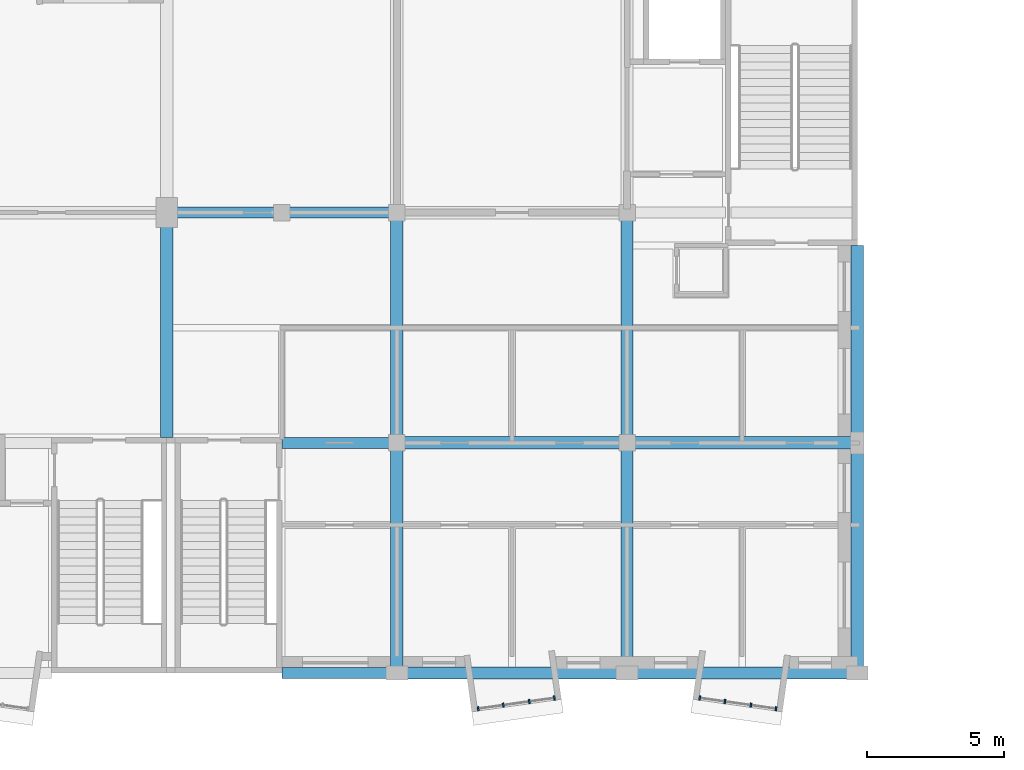
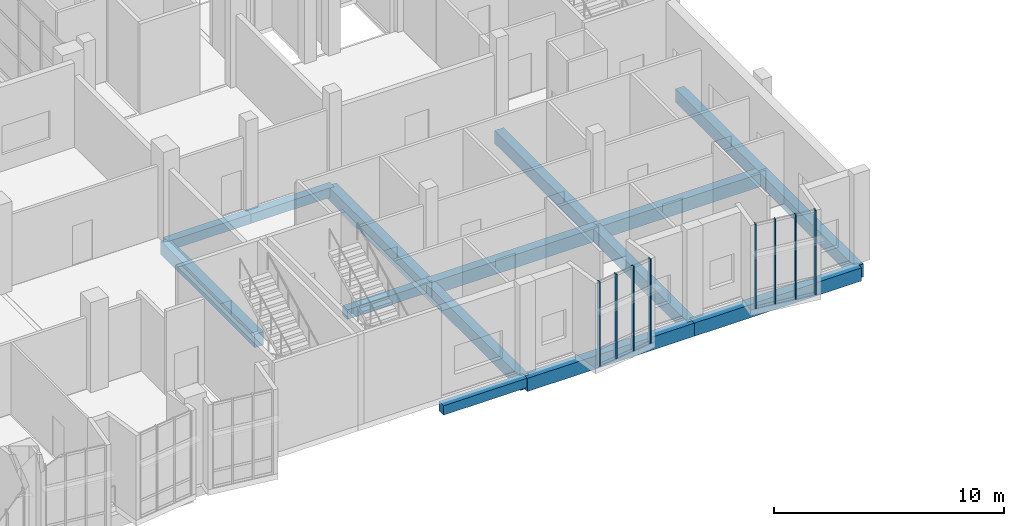
# One storey, part 5 of 91: 15 beams, 8 members, 2 elements without a shape of their own.
"""IFC4 building model written with IfcOpenShell, lengths in metres."""

from ifc_helpers import new_model, si_unit, direction, frame, origin, origin_2d, place, context, subcontext, project, spatial, rectangle, extrude, material, layer, layer_set, material_profile, profile_set, type_object, element, aggregate, save


model = new_model("IFC4")

# Units and contexts
model_context = context("Model", 3, precision=1e-05, world=origin(), true_north=direction((0.0, 1.0)))
body_context = subcontext(model_context, "Body", "Model", "MODEL_VIEW")
ifc_project = project(units=[si_unit("LENGTHUNIT", "METRE"), si_unit("AREAUNIT", "SQUARE_METRE"), si_unit("VOLUMEUNIT", "CUBIC_METRE"), si_unit("PLANEANGLEUNIT", "RADIAN"), si_unit("MASSUNIT", "GRAM", prefix="KILO")], contexts=[model_context])

# Site, building, storey
site_placement = place(None, origin())
site = spatial("IfcSite", under=ifc_project, at=site_placement, CompositionType="ELEMENT")
building_placement = place(site_placement, origin())
building = spatial("IfcBuilding", under=site, at=building_placement, Name="Kiln Court Media Centre", CompositionType="ELEMENT")
storey_placement = place(building_placement, frame((0.0, 0.0, 5.39990234375)))
storey = spatial("IfcBuildingStorey", under=building, at=storey_placement, Name="L01", CompositionType="ELEMENT", Elevation=5.39990234375)

# Curtain wall, members
ifc_material_1 = material(Name="Aluminium 6063-T6", Category="aluminium")
ifc_layer = layer(ifc_material_1, 0.1201171875)
ifc_layer_set = layer_set([ifc_layer], Name="Aluminium unitised bay curtain wall")
curtain_wall_type = type_object("IfcCurtainWallType", Name="Aluminium unitised bay curtain wall", PredefinedType="USERDEFINED", material=ifc_layer_set)
curtain_wall_1_placement = place(storey_placement, origin())
curtain_wall_1 = element("IfcCurtainWall", 1, at=curtain_wall_1_placement, inside=storey, type_object=curtain_wall_type, Name="BAY V6B-S-L01-02 front", ObjectType="UNITISED CURTAIN WALL", PredefinedType="USERDEFINED")
ifc_material_2 = material(Name="Aluminium 6063-T6", Category="aluminium")
ifc_material_profile_1 = material_profile(ifc_material_2, rectangle(XDim=0.06005859375, YDim=0.159912109375, at=origin_2d()), Name="Aluminium mullion 60x160")
ifc_profile_set_1 = profile_set([ifc_material_profile_1], Name="Aluminium 6063-T6")
member_type = type_object("IfcMemberType", Name="Aluminium mullion 60x160", PredefinedType="MULLION", material=ifc_profile_set_1)
member_1_placement = place(storey_placement, frame((44.964599609375, -1.3046875, 0.0), z_axis=(0.0, 0.0, 1.0), x_axis=(0.990269562409, 0.139162472554, 0.0)))
member_1 = element("IfcMember", 2, at=member_1_placement, type_object=member_type, Name="CW1-16 mullion 1", PredefinedType="MULLION", context=body_context, shape_type="SweptSolid", body=[
    extrude(rectangle(XDim=0.06005859375, YDim=0.159912109375, at=origin_2d()), origin(), (0.0, 0.0, 1.0), 4.5),
])
member_2_placement = place(storey_placement, frame((45.882080078125, -1.17578125, 0.0), z_axis=(0.0, 0.0, 1.0), x_axis=(0.990269562409, 0.139162472554, 0.0)))
member_2 = element("IfcMember", 3, at=member_2_placement, type_object=member_type, Name="CW1-16 mullion 2", PredefinedType="MULLION", context=body_context, shape_type="SweptSolid", body=[
    extrude(rectangle(XDim=0.06005859375, YDim=0.159912109375, at=origin_2d()), origin(), (0.0, 0.0, 1.0), 4.5),
])
member_3_placement = place(storey_placement, frame((46.82958984375, -1.04248046875, 0.0), z_axis=(0.0, 0.0, 1.0), x_axis=(0.990269562409, 0.139162472554, 0.0)))
member_3 = element("IfcMember", 4, at=member_3_placement, type_object=member_type, Name="CW1-16 mullion 3", PredefinedType="MULLION", context=body_context, shape_type="SweptSolid", body=[
    extrude(rectangle(XDim=0.06005859375, YDim=0.159912109375, at=origin_2d()), origin(), (0.0, 0.0, 1.0), 4.5),
])
member_4_placement = place(storey_placement, frame((47.7470703125, -0.91357421875, 0.0), z_axis=(0.0, 0.0, 1.0), x_axis=(0.990269562409, 0.139162472554, 0.0)))
member_4 = element("IfcMember", 5, at=member_4_placement, type_object=member_type, Name="CW1-16 mullion 4", PredefinedType="MULLION", context=body_context, shape_type="SweptSolid", body=[
    extrude(rectangle(XDim=0.06005859375, YDim=0.159912109375, at=origin_2d()), origin(), (0.0, 0.0, 1.0), 4.5),
])
aggregate(curtain_wall_1, [member_1, member_2, member_3, member_4])

curtain_wall_2_placement = place(storey_placement, origin())
curtain_wall_2 = element("IfcCurtainWall", 6, at=curtain_wall_2_placement, inside=storey, type_object=curtain_wall_type, Name="BAY V6B-S-L01-03 front", ObjectType="UNITISED CURTAIN WALL", PredefinedType="USERDEFINED")
member_5_placement = place(storey_placement, frame((53.052734375, -0.91357421875, 0.0), z_axis=(0.0, 0.0, 1.0), x_axis=(0.990269562409, -0.139162472554, 0.0)))
member_5 = element("IfcMember", 7, at=member_5_placement, type_object=member_type, Name="CW1-17 mullion 1", PredefinedType="MULLION", context=body_context, shape_type="SweptSolid", body=[
    extrude(rectangle(XDim=0.06005859375, YDim=0.159912109375, at=origin_2d()), origin(), (0.0, 0.0, 1.0), 4.5),
])
member_6_placement = place(storey_placement, frame((53.970458984375, -1.04248046875, 0.0), z_axis=(0.0, 0.0, 1.0), x_axis=(0.990269562409, -0.139162472554, 0.0)))
member_6 = element("IfcMember", 8, at=member_6_placement, type_object=member_type, Name="CW1-17 mullion 2", PredefinedType="MULLION", context=body_context, shape_type="SweptSolid", body=[
    extrude(rectangle(XDim=0.06005859375, YDim=0.159912109375, at=origin_2d()), origin(), (0.0, 0.0, 1.0), 4.5),
])
member_7_placement = place(storey_placement, frame((54.917724609375, -1.17578125, 0.0), z_axis=(0.0, 0.0, 1.0), x_axis=(0.990269562409, -0.139162472554, 0.0)))
member_7 = element("IfcMember", 9, at=member_7_placement, type_object=member_type, Name="CW1-17 mullion 3", PredefinedType="MULLION", context=body_context, shape_type="SweptSolid", body=[
    extrude(rectangle(XDim=0.06005859375, YDim=0.159912109375, at=origin_2d()), origin(), (0.0, 0.0, 1.0), 4.5),
])
member_8_placement = place(storey_placement, frame((55.83544921875, -1.3046875, 0.0), z_axis=(0.0, 0.0, 1.0), x_axis=(0.990269562409, -0.139162472554, 0.0)))
member_8 = element("IfcMember", 10, at=member_8_placement, type_object=member_type, Name="CW1-17 mullion 4", PredefinedType="MULLION", context=body_context, shape_type="SweptSolid", body=[
    extrude(rectangle(XDim=0.06005859375, YDim=0.159912109375, at=origin_2d()), origin(), (0.0, 0.0, 1.0), 4.5),
])
aggregate(curtain_wall_2, [member_5, member_6, member_7, member_8])

# Beams
ifc_material_3 = material(Name="Concrete C30/37", Category="concrete")
ifc_material_profile_2 = material_profile(ifc_material_3, rectangle(XDim=0.39990234375, YDim=0.5, at=origin_2d()), Name="RC 400x500")
ifc_profile_set_2 = profile_set([ifc_material_profile_2], Name="Concrete C30/37")
beam_type_1 = type_object("IfcBeamType", Name="Concrete C30/37 beam 400x500", PredefinedType="BEAM", material=ifc_profile_set_2)
for number, where, z_axis, x_axis, name in (
    (11, (37.800048828125, 0.0, -0.5498046875), (1.0, 0.0, 0.0), (0.0, 1.0, 0.0), "L01-B-1036"),
    (12, (37.800048828125, 8.39990234375, -0.5498046875), (1.0, 0.0, 0.0), (0.0, 1.0, 0.0), "L01-B-1039"),
):
    element("IfcBeam", number, at=place(storey_placement, frame(where, z_axis=z_axis, x_axis=x_axis)), inside=storey, type_object=beam_type_1, Name=name, PredefinedType="BEAM", context=body_context, shape_type="SweptSolid", body=[
        extrude(rectangle(XDim=0.39990234375, YDim=0.5, at=origin_2d()), origin(), (0.0, 0.0, 1.0), 4.199951171875),
    ])
beam_1_placement = place(storey_placement, frame((33.64990234375, 16.800048828125, -0.5498046875), z_axis=(1.0, 0.0, 0.0), x_axis=(0.0, 1.0, 0.0)))
element("IfcBeam", 13, at=beam_1_placement, inside=storey, type_object=beam_type_1, Name="L01-B-1042", PredefinedType="BEAM", context=body_context, shape_type="SweptSolid", body=[
    extrude(rectangle(XDim=0.39990234375, YDim=0.5, at=origin_2d()), origin(), (0.0, 0.0, 1.0), 4.151123046875),
])
beam_2_placement = place(storey_placement, frame((37.801025390625, 16.800048828125, -0.5498046875), z_axis=(1.0, 0.0, 0.0), x_axis=(0.0, 1.0, 0.0)))
element("IfcBeam", 14, at=beam_2_placement, inside=storey, type_object=beam_type_1, Name="L01-B-1043", PredefinedType="BEAM", context=body_context, shape_type="SweptSolid", body=[
    extrude(rectangle(XDim=0.39990234375, YDim=0.5, at=origin_2d()), origin(), (0.0, 0.0, 1.0), 4.198974609375),
])
ifc_material_4 = material(Name="Concrete C30/37", Category="concrete")
ifc_material_profile_3 = material_profile(ifc_material_4, rectangle(XDim=0.449951171875, YDim=0.699951171875, at=origin_2d()), Name="RC 450x700")
ifc_profile_set_3 = profile_set([ifc_material_profile_3], Name="Concrete C30/37")
beam_type_2 = type_object("IfcBeamType", Name="Concrete C30/37 beam 450x700", PredefinedType="BEAM", material=ifc_profile_set_3)
beam_3_placement = place(storey_placement, frame((33.60009765625, 8.60009765625, -0.64990234375), z_axis=(0.0, 1.0, 0.0), x_axis=(-1.0, 0.0, 0.0)))
element("IfcBeam", 15, at=beam_3_placement, inside=storey, type_object=beam_type_2, Name="L01-B-1009", PredefinedType="BEAM", context=body_context, shape_type="SweptSolid", body=[
    extrude(rectangle(XDim=0.449951171875, YDim=0.699951171875, at=origin_2d()), origin(), (0.0, 0.0, 1.0), 8.199951171875),
])
beam_4_placement = place(storey_placement, frame((42.0, 0.0, -0.64990234375), z_axis=(0.0, 1.0, 0.0), x_axis=(-1.0, 0.0, 0.0)))
element("IfcBeam", 16, at=beam_4_placement, inside=storey, type_object=beam_type_2, Name="L01-B-1028", PredefinedType="BEAM", context=body_context, shape_type="SweptSolid", body=[
    extrude(rectangle(XDim=0.449951171875, YDim=0.699951171875, at=origin_2d()), origin(), (0.0, 0.0, 1.0), 8.39990234375),
])
beam_5_placement = place(storey_placement, frame((42.0, 8.39990234375, -0.64990234375), z_axis=(0.0, 1.0, 0.0), x_axis=(-1.0, 0.0, 0.0)))
element("IfcBeam", 17, at=beam_5_placement, inside=storey, type_object=beam_type_2, Name="L01-B-1029", PredefinedType="BEAM", context=body_context, shape_type="SweptSolid", body=[
    extrude(rectangle(XDim=0.449951171875, YDim=0.699951171875, at=origin_2d()), origin(), (0.0, 0.0, 1.0), 8.400146484375),
])
beam_6_placement = place(storey_placement, frame((50.39990234375, 0.0, -0.64990234375), z_axis=(0.0, 1.0, 0.0), x_axis=(-1.0, 0.0, 0.0)))
element("IfcBeam", 18, at=beam_6_placement, inside=storey, type_object=beam_type_2, Name="L01-B-1031", PredefinedType="BEAM", context=body_context, shape_type="SweptSolid", body=[
    extrude(rectangle(XDim=0.449951171875, YDim=0.699951171875, at=origin_2d()), origin(), (0.0, 0.0, 1.0), 8.39990234375),
])
beam_7_placement = place(storey_placement, frame((50.39990234375, 8.39990234375, -0.64990234375), z_axis=(0.0, 1.0, 0.0), x_axis=(-1.0, 0.0, 0.0)))
element("IfcBeam", 19, at=beam_7_placement, inside=storey, type_object=beam_type_2, Name="L01-B-1032", PredefinedType="BEAM", context=body_context, shape_type="SweptSolid", body=[
    extrude(rectangle(XDim=0.449951171875, YDim=0.699951171875, at=origin_2d()), origin(), (0.0, 0.0, 1.0), 8.400146484375),
])
beam_8_placement = place(storey_placement, frame((58.800048828125, 0.0, -0.64990234375), z_axis=(0.0, 1.0, 0.0), x_axis=(-1.0, 0.0, 0.0)))
element("IfcBeam", 20, at=beam_8_placement, inside=storey, type_object=beam_type_2, Name="L01-B-1034", PredefinedType="BEAM", context=body_context, shape_type="SweptSolid", body=[
    extrude(rectangle(XDim=0.449951171875, YDim=0.699951171875, at=origin_2d()), origin(), (0.0, 0.0, 1.0), 8.39990234375),
])
beam_9_placement = place(storey_placement, frame((58.800048828125, 8.39990234375, -0.64990234375), z_axis=(0.0, 1.0, 0.0), x_axis=(-1.0, 0.0, 0.0)))
element("IfcBeam", 21, at=beam_9_placement, inside=storey, type_object=beam_type_2, Name="L01-B-1035", PredefinedType="BEAM", context=body_context, shape_type="SweptSolid", body=[
    extrude(rectangle(XDim=0.449951171875, YDim=0.699951171875, at=origin_2d()), origin(), (0.0, 0.0, 1.0), 7.2001953125),
])
beam_10_placement = place(storey_placement, frame((42.0, 0.0, -0.64990234375), z_axis=(1.0, 0.0, 0.0), x_axis=(0.0, 1.0, 0.0)))
element("IfcBeam", 22, at=beam_10_placement, inside=storey, type_object=beam_type_2, Name="L01-B-1037", PredefinedType="BEAM", context=body_context, shape_type="SweptSolid", body=[
    extrude(rectangle(XDim=0.449951171875, YDim=0.699951171875, at=origin_2d()), origin(), (0.0, 0.0, 1.0), 8.39990234375),
])
beam_11_placement = place(storey_placement, frame((50.39990234375, 0.0, -0.64990234375), z_axis=(1.0, 0.0, 0.0), x_axis=(0.0, 1.0, 0.0)))
element("IfcBeam", 23, at=beam_11_placement, inside=storey, type_object=beam_type_2, Name="L01-B-1038", PredefinedType="BEAM", context=body_context, shape_type="SweptSolid", body=[
    extrude(rectangle(XDim=0.449951171875, YDim=0.699951171875, at=origin_2d()), origin(), (0.0, 0.0, 1.0), 8.400146484375),
])
beam_12_placement = place(storey_placement, frame((42.0, 8.39990234375, -0.64990234375), z_axis=(1.0, 0.0, 0.0), x_axis=(0.0, 1.0, 0.0)))
element("IfcBeam", 24, at=beam_12_placement, inside=storey, type_object=beam_type_2, Name="L01-B-1040", PredefinedType="BEAM", context=body_context, shape_type="SweptSolid", body=[
    extrude(rectangle(XDim=0.449951171875, YDim=0.699951171875, at=origin_2d()), origin(), (0.0, 0.0, 1.0), 8.39990234375),
])
beam_13_placement = place(storey_placement, frame((50.39990234375, 8.39990234375, -0.64990234375), z_axis=(1.0, 0.0, 0.0), x_axis=(0.0, 1.0, 0.0)))
element("IfcBeam", 25, at=beam_13_placement, inside=storey, type_object=beam_type_2, Name="L01-B-1041", PredefinedType="BEAM", context=body_context, shape_type="SweptSolid", body=[
    extrude(rectangle(XDim=0.449951171875, YDim=0.699951171875, at=origin_2d()), origin(), (0.0, 0.0, 1.0), 8.400146484375),
])

save(model, "model.ifc")
